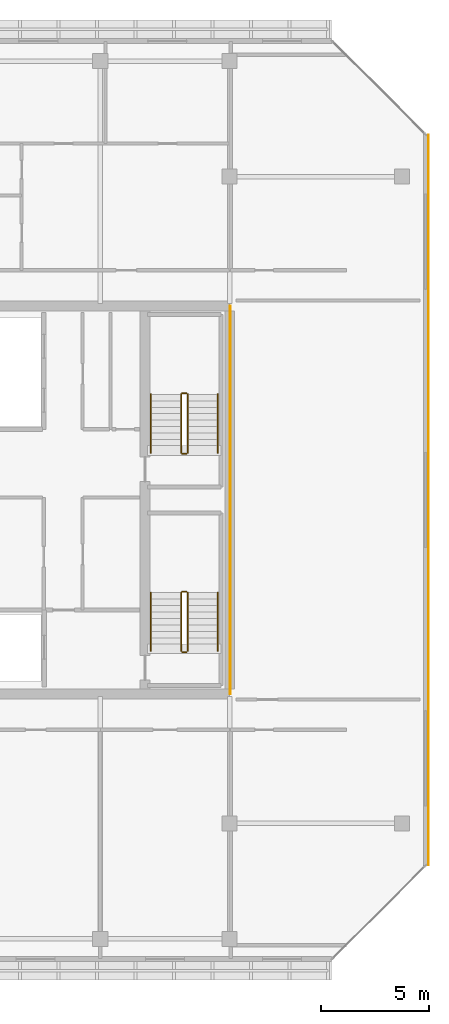
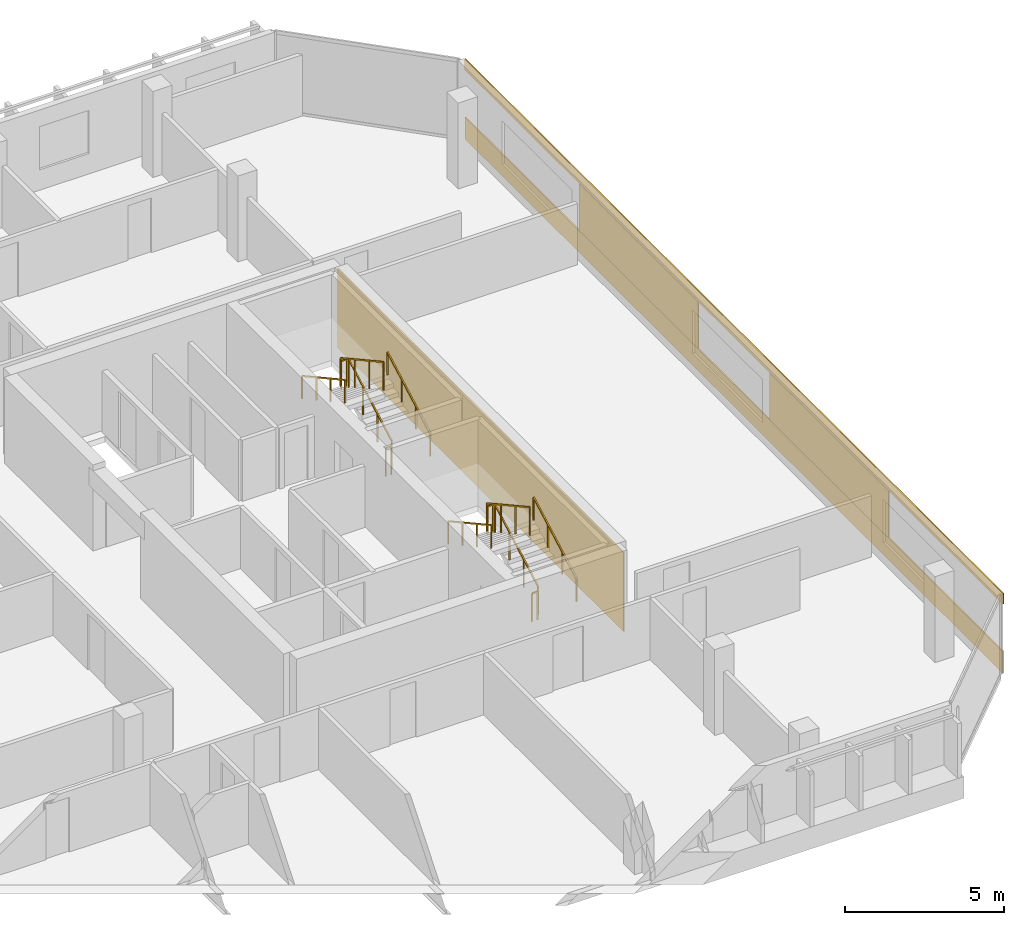
# One storey, part 28 of 28: 12 railings, 5 coverings.
"""IFC4 building model written with IfcOpenShell, lengths in metres."""

from ifc_helpers import new_model, si_unit, direction, frame, origin, origin_2d, place, context, subcontext, project, spatial, rectangle, extrude, material, layer, layer_set, type_object, element, save


model = new_model("IFC4")

# Units and contexts
model_context = context("Model", 3, precision=1e-05, world=origin(), true_north=direction((0.0, 1.0)))
body_context = subcontext(model_context, "Body", "Model", "MODEL_VIEW")
ifc_project = project(units=[si_unit("LENGTHUNIT", "METRE"), si_unit("AREAUNIT", "SQUARE_METRE"), si_unit("VOLUMEUNIT", "CUBIC_METRE"), si_unit("PLANEANGLEUNIT", "RADIAN"), si_unit("MASSUNIT", "GRAM", prefix="KILO")], contexts=[model_context])

# Site, building, storey
site_placement = place(None, origin())
site = spatial("IfcSite", under=ifc_project, at=site_placement, CompositionType="ELEMENT")
building_placement = place(site_placement, origin())
building = spatial("IfcBuilding", under=site, at=building_placement, Name="Tanjung Sevakor Pilgrim Tower", CompositionType="ELEMENT")
storey_placement = place(building_placement, frame((0.0, 0.0, 239.25)))
storey = spatial("IfcBuildingStorey", under=building, at=storey_placement, Name="L67", CompositionType="ELEMENT", Elevation=239.25)

# Coverings
ifc_material_1 = material(Name="Reconstructed Limestone Cladding", Category="masonry")
ifc_layer = layer(ifc_material_1, 0.044921875)
ifc_layer_set = layer_set([ifc_layer], Name="COV-CLAD-LIMESTONE")
covering_type = type_object("IfcCoveringType", Name="COV-CLAD-LIMESTONE", PredefinedType="CLADDING", material=ifc_layer_set)
covering_1_placement = place(storey_placement, frame((99.222412109375, 33.60009765625, 0.009765625), z_axis=(0.0, 0.0, 1.0), x_axis=(0.0, 1.0, 0.0)))
element("IfcCovering", 1, at=covering_1_placement, inside=storey, type_object=covering_type, Name="L67 Warm Limestone Sill Spandrel EW-L67-EAST-3-1", PredefinedType="CLADDING", context=body_context, shape_type="SweptSolid", body=[
    extrude(rectangle(XDim=33.828857421875, YDim=0.044921875, at=origin_2d()), origin(), (0.0, 0.0, 1.0), 0.840087890625),
])
covering_2_placement = place(storey_placement, frame((99.222412109375, 33.60009765625, 2.66015625), z_axis=(0.0, 0.0, 1.0), x_axis=(0.0, 1.0, 0.0)))
element("IfcCovering", 2, at=covering_2_placement, inside=storey, type_object=covering_type, Name="L67 Warm Limestone Cornice Spandrel EW-L67-EAST-3", PredefinedType="CLADDING", context=body_context, shape_type="SweptSolid", body=[
    extrude(rectangle(XDim=33.868896484375, YDim=0.044921875, at=origin_2d()), origin(), (0.0, 0.0, 1.0), 0.409912109375),
])
for number, where, z_axis, x_axis, name in (
    (3, (99.222412109375, 27.60888671875, 0.849853515625), (0.0, 0.0, 1.0), (0.0, 1.0, 0.0), "L67 Warm Limestone Pier Panel EW-L67-EAST-3-1"),
    (4, (99.222412109375, 39.591064453125, 0.849853515625), (0.0, 0.0, 1.0), (0.0, 1.0, 0.0), "L67 Warm Limestone Pier Panel EW-L67-EAST-3-2"),
):
    element("IfcCovering", number, at=place(storey_placement, frame(where, z_axis=z_axis, x_axis=x_axis)), inside=storey, type_object=covering_type, Name=name, PredefinedType="CLADDING", context=body_context, shape_type="SweptSolid", body=[
        extrude(rectangle(XDim=7.482177734375, YDim=0.044921875, at=origin_2d()), origin(), (0.0, 0.0, 1.0), 1.81005859375),
    ])
covering_3_placement = place(storey_placement, frame((90.0224609375, 33.60009765625, 0.02001953125), z_axis=(0.0, 0.0, 1.0), x_axis=(1.0, 0.0, 0.0)))
element("IfcCovering", 5, at=covering_3_placement, inside=storey, type_object=covering_type, Name="L67 Expressed Core Warm Limestone Cladding E", PredefinedType="CLADDING", context=body_context, shape_type="SweptSolid", body=[
    extrude(rectangle(XDim=0.044921875, YDim=18.0, at=origin_2d()), origin(), (0.0, 0.0, 1.0), 3.0400390625),
])

# Railings
ifc_material_2 = material(Name="Steel S355J2", Category="steel")
railing_type_1 = type_object("IfcRailingType", Name="RL-STAIR-GUARD", PredefinedType="GUARDRAIL", material=ifc_material_2)
railing_1_placement = place(storey_placement, frame((88.050048828125, 26.60009765625, 0.1650390625)))
element("IfcRailing", 6, at=railing_1_placement, inside=storey, type_object=railing_type_1, Name="L67 TS-E1 stair guard 1", PredefinedType="GUARDRAIL", context=body_context, shape_type="SweptSolid", body=[
    extrude(rectangle(XDim=0.0479, YDim=0.0479), frame((0.0, 0.0, 1.076171875), z_axis=(0.0, 0.876230963923, 0.481891375584), x_axis=(-1.0, 0.0, 0.0)), (0.0, 0.0, 1.0), 3.081298828125),
    extrude(rectangle(XDim=0.042, YDim=0.042), origin(), (0.0, 0.0, 1.0), 1.052001953125),
    extrude(rectangle(XDim=0.042, YDim=0.042), frame((0.0, 0.89990234375, 0.494873046875)), (0.0, 0.0, 1.0), 1.052001953125),
    extrude(rectangle(XDim=0.042, YDim=0.042), frame((0.0, 1.800048828125, 0.989990234375)), (0.0, 0.0, 1.0), 1.052001953125),
    extrude(rectangle(XDim=0.042, YDim=0.042), frame((0.0, 2.699951171875, 1.48486328125)), (0.0, 0.0, 1.0), 1.052001953125),
])
railing_2_placement = place(storey_placement, frame((88.0, 29.35009765625, 1.64990234375)))
element("IfcRailing", 7, at=railing_2_placement, inside=storey, type_object=railing_type_1, Name="L67 TS-E1 stair guard 2", PredefinedType="GUARDRAIL", context=body_context, shape_type="SweptSolid", body=[
    extrude(rectangle(XDim=0.0479, YDim=0.0479), frame((0.0, 0.0, 1.076171875), z_axis=(-1.0, 0.0, 0.0), x_axis=(0.0, -1.0, 0.0)), (0.0, 0.0, 1.0), 0.199951171875),
    extrude(rectangle(XDim=0.042, YDim=0.042), origin(), (0.0, 0.0, 1.0), 1.052001953125),
    extrude(rectangle(XDim=0.042, YDim=0.042), frame((-0.199951171875, 0.0, 0.0)), (0.0, 0.0, 1.0), 1.052001953125),
])
railing_3_placement = place(storey_placement, frame((87.75, 29.300048828125, 1.81494140625)))
element("IfcRailing", 8, at=railing_3_placement, inside=storey, type_object=railing_type_1, Name="L67 TS-E1 stair guard 3", PredefinedType="GUARDRAIL", context=body_context, shape_type="SweptSolid", body=[
    extrude(rectangle(XDim=0.0479, YDim=0.0479), frame((0.0, 0.0, 1.076171875), z_axis=(0.0, -0.876197507361, 0.481952205197), x_axis=(1.0, 0.0, 0.0)), (0.0, 0.0, 1.0), 3.08154296875),
    extrude(rectangle(XDim=0.042, YDim=0.042), origin(), (0.0, 0.0, 1.0), 1.052001953125),
    extrude(rectangle(XDim=0.042, YDim=0.042), frame((0.0, -0.89990234375, 0.4951171875)), (0.0, 0.0, 1.0), 1.052001953125),
    extrude(rectangle(XDim=0.042, YDim=0.042), frame((0.0, -1.800048828125, 0.989990234375)), (0.0, 0.0, 1.0), 1.052001953125),
    extrude(rectangle(XDim=0.042, YDim=0.042), frame((0.0, -2.699951171875, 1.485107421875)), (0.0, 0.0, 1.0), 1.052001953125),
])
railing_4_placement = place(storey_placement, frame((88.0, 26.550048828125, 0.0)))
element("IfcRailing", 9, at=railing_4_placement, inside=storey, type_object=railing_type_1, Name="L67 TS-E1 stair guard 4", PredefinedType="GUARDRAIL", context=body_context, shape_type="SweptSolid", body=[
    extrude(rectangle(XDim=0.0479, YDim=0.0479), frame((0.0, 0.0, 1.076171875), z_axis=(-1.0, 0.0, 0.0), x_axis=(0.0, -1.0, 0.0)), (0.0, 0.0, 1.0), 0.199951171875),
    extrude(rectangle(XDim=0.042, YDim=0.042), origin(), (0.0, 0.0, 1.0), 1.052001953125),
    extrude(rectangle(XDim=0.042, YDim=0.042), frame((-0.199951171875, 0.0, 0.0)), (0.0, 0.0, 1.0), 1.052001953125),
])
railing_5_placement = place(storey_placement, frame((88.050048828125, 35.800048828125, 0.1650390625)))
element("IfcRailing", 10, at=railing_5_placement, inside=storey, type_object=railing_type_1, Name="L67 TS-E2 stair guard 1", PredefinedType="GUARDRAIL", context=body_context, shape_type="SweptSolid", body=[
    extrude(rectangle(XDim=0.0479, YDim=0.0479), frame((0.0, 0.0, 1.076171875), z_axis=(0.0, 0.876230963923, 0.481891375584), x_axis=(-1.0, 0.0, 0.0)), (0.0, 0.0, 1.0), 3.081298828125),
    extrude(rectangle(XDim=0.042, YDim=0.042), origin(), (0.0, 0.0, 1.0), 1.052001953125),
    extrude(rectangle(XDim=0.042, YDim=0.042), frame((0.0, 0.89990234375, 0.494873046875)), (0.0, 0.0, 1.0), 1.052001953125),
    extrude(rectangle(XDim=0.042, YDim=0.042), frame((0.0, 1.800048828125, 0.989990234375)), (0.0, 0.0, 1.0), 1.052001953125),
    extrude(rectangle(XDim=0.042, YDim=0.042), frame((0.0, 2.699951171875, 1.48486328125)), (0.0, 0.0, 1.0), 1.052001953125),
])
railing_6_placement = place(storey_placement, frame((88.0, 38.550048828125, 1.64990234375)))
element("IfcRailing", 11, at=railing_6_placement, inside=storey, type_object=railing_type_1, Name="L67 TS-E2 stair guard 2", PredefinedType="GUARDRAIL", context=body_context, shape_type="SweptSolid", body=[
    extrude(rectangle(XDim=0.0479, YDim=0.0479), frame((0.0, 0.0, 1.076171875), z_axis=(-1.0, 0.0, 0.0), x_axis=(0.0, -1.0, 0.0)), (0.0, 0.0, 1.0), 0.199951171875),
    extrude(rectangle(XDim=0.042, YDim=0.042), origin(), (0.0, 0.0, 1.0), 1.052001953125),
    extrude(rectangle(XDim=0.042, YDim=0.042), frame((-0.199951171875, 0.0, 0.0)), (0.0, 0.0, 1.0), 1.052001953125),
])
railing_7_placement = place(storey_placement, frame((87.75, 38.5, 1.81494140625)))
element("IfcRailing", 12, at=railing_7_placement, inside=storey, type_object=railing_type_1, Name="L67 TS-E2 stair guard 3", PredefinedType="GUARDRAIL", context=body_context, shape_type="SweptSolid", body=[
    extrude(rectangle(XDim=0.0479, YDim=0.0479), frame((0.0, 0.0, 1.076171875), z_axis=(0.0, -0.876197507361, 0.481952205197), x_axis=(1.0, 0.0, 0.0)), (0.0, 0.0, 1.0), 3.08154296875),
    extrude(rectangle(XDim=0.042, YDim=0.042), origin(), (0.0, 0.0, 1.0), 1.052001953125),
    extrude(rectangle(XDim=0.042, YDim=0.042), frame((0.0, -0.89990234375, 0.4951171875)), (0.0, 0.0, 1.0), 1.052001953125),
    extrude(rectangle(XDim=0.042, YDim=0.042), frame((0.0, -1.800048828125, 0.989990234375)), (0.0, 0.0, 1.0), 1.052001953125),
    extrude(rectangle(XDim=0.042, YDim=0.042), frame((0.0, -2.699951171875, 1.485107421875)), (0.0, 0.0, 1.0), 1.052001953125),
])
railing_8_placement = place(storey_placement, frame((88.0, 35.75, 0.0)))
element("IfcRailing", 13, at=railing_8_placement, inside=storey, type_object=railing_type_1, Name="L67 TS-E2 stair guard 4", PredefinedType="GUARDRAIL", context=body_context, shape_type="SweptSolid", body=[
    extrude(rectangle(XDim=0.0479, YDim=0.0479), frame((0.0, 0.0, 1.076171875), z_axis=(-1.0, 0.0, 0.0), x_axis=(0.0, -1.0, 0.0)), (0.0, 0.0, 1.0), 0.199951171875),
    extrude(rectangle(XDim=0.042, YDim=0.042), origin(), (0.0, 0.0, 1.0), 1.052001953125),
    extrude(rectangle(XDim=0.042, YDim=0.042), frame((-0.199951171875, 0.0, 0.0)), (0.0, 0.0, 1.0), 1.052001953125),
])
ifc_material_3 = material(Name="Steel S355J2", Category="steel")
railing_type_2 = type_object("IfcRailingType", Name="RL-STAIR-HAND", PredefinedType="HANDRAIL", material=ifc_material_3)
railing_9_placement = place(storey_placement, frame((89.449951171875, 26.60009765625, 0.1650390625)))
element("IfcRailing", 14, at=railing_9_placement, inside=storey, type_object=railing_type_2, Name="L67 TS-E1 stair handrail 1", PredefinedType="HANDRAIL", context=body_context, shape_type="SweptSolid", body=[
    extrude(rectangle(XDim=0.0479, YDim=0.0479), frame((0.0, 0.0, 0.8759765625), z_axis=(0.0, 0.876230963923, 0.481891375584), x_axis=(-1.0, 0.0, 0.0)), (0.0, 0.0, 1.0), 3.081298828125),
    extrude(rectangle(XDim=0.042, YDim=0.042), origin(), (0.0, 0.0, 1.0), 0.851806640625),
    extrude(rectangle(XDim=0.042, YDim=0.042), frame((0.0, 0.89990234375, 0.494873046875)), (0.0, 0.0, 1.0), 0.851806640625),
    extrude(rectangle(XDim=0.042, YDim=0.042), frame((0.0, 1.800048828125, 0.989990234375)), (0.0, 0.0, 1.0), 0.851806640625),
    extrude(rectangle(XDim=0.042, YDim=0.042), frame((0.0, 2.699951171875, 1.48486328125)), (0.0, 0.0, 1.0), 0.851806640625),
])
railing_10_placement = place(storey_placement, frame((86.35009765625, 29.300048828125, 1.81494140625)))
element("IfcRailing", 15, at=railing_10_placement, inside=storey, type_object=railing_type_2, Name="L67 TS-E1 stair handrail 2", PredefinedType="HANDRAIL", context=body_context, shape_type="SweptSolid", body=[
    extrude(rectangle(XDim=0.0479, YDim=0.0479), frame((0.0, 0.0, 0.8759765625), z_axis=(0.0, -0.876197507361, 0.481952205197), x_axis=(1.0, 0.0, 0.0)), (0.0, 0.0, 1.0), 3.08154296875),
    extrude(rectangle(XDim=0.042, YDim=0.042), origin(), (0.0, 0.0, 1.0), 0.851806640625),
    extrude(rectangle(XDim=0.042, YDim=0.042), frame((0.0, -0.89990234375, 0.4951171875)), (0.0, 0.0, 1.0), 0.851806640625),
    extrude(rectangle(XDim=0.042, YDim=0.042), frame((0.0, -1.800048828125, 0.989990234375)), (0.0, 0.0, 1.0), 0.851806640625),
    extrude(rectangle(XDim=0.042, YDim=0.042), frame((0.0, -2.699951171875, 1.485107421875)), (0.0, 0.0, 1.0), 0.851806640625),
])
railing_11_placement = place(storey_placement, frame((89.449951171875, 35.800048828125, 0.1650390625)))
element("IfcRailing", 16, at=railing_11_placement, inside=storey, type_object=railing_type_2, Name="L67 TS-E2 stair handrail 1", PredefinedType="HANDRAIL", context=body_context, shape_type="SweptSolid", body=[
    extrude(rectangle(XDim=0.0479, YDim=0.0479), frame((0.0, 0.0, 0.8759765625), z_axis=(0.0, 0.876230963923, 0.481891375584), x_axis=(-1.0, 0.0, 0.0)), (0.0, 0.0, 1.0), 3.081298828125),
    extrude(rectangle(XDim=0.042, YDim=0.042), origin(), (0.0, 0.0, 1.0), 0.851806640625),
    extrude(rectangle(XDim=0.042, YDim=0.042), frame((0.0, 0.89990234375, 0.494873046875)), (0.0, 0.0, 1.0), 0.851806640625),
    extrude(rectangle(XDim=0.042, YDim=0.042), frame((0.0, 1.800048828125, 0.989990234375)), (0.0, 0.0, 1.0), 0.851806640625),
    extrude(rectangle(XDim=0.042, YDim=0.042), frame((0.0, 2.699951171875, 1.48486328125)), (0.0, 0.0, 1.0), 0.851806640625),
])
railing_12_placement = place(storey_placement, frame((86.35009765625, 38.5, 1.81494140625)))
element("IfcRailing", 17, at=railing_12_placement, inside=storey, type_object=railing_type_2, Name="L67 TS-E2 stair handrail 2", PredefinedType="HANDRAIL", context=body_context, shape_type="SweptSolid", body=[
    extrude(rectangle(XDim=0.0479, YDim=0.0479), frame((0.0, 0.0, 0.8759765625), z_axis=(0.0, -0.876197507361, 0.481952205197), x_axis=(1.0, 0.0, 0.0)), (0.0, 0.0, 1.0), 3.08154296875),
    extrude(rectangle(XDim=0.042, YDim=0.042), origin(), (0.0, 0.0, 1.0), 0.851806640625),
    extrude(rectangle(XDim=0.042, YDim=0.042), frame((0.0, -0.89990234375, 0.4951171875)), (0.0, 0.0, 1.0), 0.851806640625),
    extrude(rectangle(XDim=0.042, YDim=0.042), frame((0.0, -1.800048828125, 0.989990234375)), (0.0, 0.0, 1.0), 0.851806640625),
    extrude(rectangle(XDim=0.042, YDim=0.042), frame((0.0, -2.699951171875, 1.485107421875)), (0.0, 0.0, 1.0), 0.851806640625),
])

save(model, "model.ifc")
